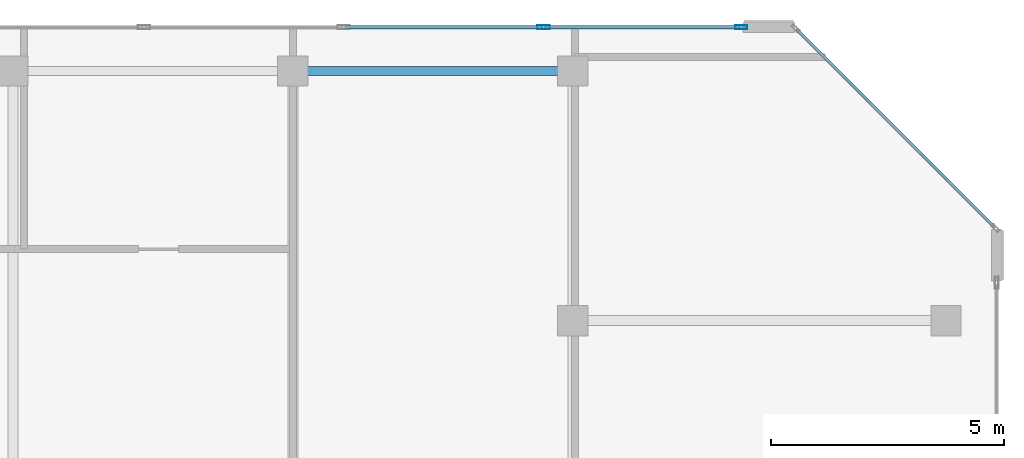
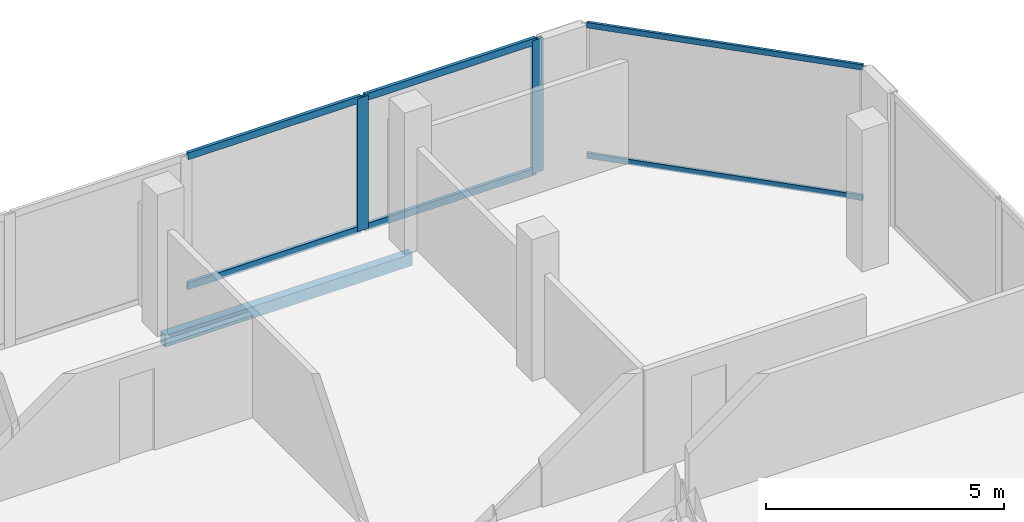
# One storey, part 20 of 30: 8 members, 1 beam, 2 elements without a shape of their own.
"""IFC4 building model written with IfcOpenShell, lengths in metres."""

from ifc_helpers import new_model, si_unit, direction, frame, origin, origin_2d, place, context, subcontext, project, spatial, hollow_rectangle, extrude, material, layer, layer_set, material_profile, profile_set, type_object, element, aggregate, save


model = new_model("IFC4")

# Units and contexts
model_context = context("Model", 3, precision=1e-05, world=origin(), true_north=direction((0.0, 1.0)))
body_context = subcontext(model_context, "Body", "Model", "MODEL_VIEW")
ifc_project = project(units=[si_unit("LENGTHUNIT", "METRE"), si_unit("AREAUNIT", "SQUARE_METRE"), si_unit("VOLUMEUNIT", "CUBIC_METRE"), si_unit("PLANEANGLEUNIT", "RADIAN"), si_unit("MASSUNIT", "GRAM", prefix="KILO")], contexts=[model_context])

# Site, building, storey
site_placement = place(None, origin())
site = spatial("IfcSite", under=ifc_project, at=site_placement, CompositionType="ELEMENT")
building_placement = place(site_placement, origin())
building = spatial("IfcBuilding", under=site, at=building_placement, Name="Tanjung Sevakor Pilgrim Tower", CompositionType="ELEMENT")
storey_placement = place(building_placement, frame((0.0, 0.0, 253.43994140625)))
storey = spatial("IfcBuildingStorey", under=building, at=storey_placement, Name="L71", CompositionType="ELEMENT", Elevation=253.43994140625)

# Beam
ifc_material_1 = material(Name="Steel S355J2", Category="steel")
ifc_material_profile_1 = material_profile(ifc_material_1, hollow_rectangle(XDim=0.199951171875, YDim=0.300048828125, WallThickness=0.012451171875, at=origin_2d()))
ifc_profile_set_1 = profile_set([ifc_material_profile_1], Name="Steel S355J2")
beam_type = type_object("IfcBeamType", Name="BM-B-SP3-RHS_300x200x12.5", PredefinedType="SPANDREL", material=ifc_profile_set_1)
beam_placement = place(storey_placement, frame((84.0, 53.949951171875, -0.369873046875), z_axis=(1.0, 0.0, 0.0), x_axis=(0.0, 1.0, 0.0)))
element("IfcBeam", 1, at=beam_placement, inside=storey, type_object=beam_type, Name="L71 Spandrel EAST N-06", PredefinedType="SPANDREL", context=body_context, shape_type="SweptSolid", body=[
    extrude(hollow_rectangle(XDim=0.199951171875, YDim=0.300048828125, WallThickness=0.012451171875, at=origin_2d()), origin(), (0.0, 0.0, 1.0), 6.0),
])

# Curtain wall, members
ifc_material_2 = material(Name="Aluminium 6063-T6 and Low-E Glass", Category="aluminium")
ifc_layer_1 = layer(ifc_material_2, 0.219970703125)
ifc_layer_set_1 = layer_set([ifc_layer_1], Name="CW-SYS-CRNE")
curtain_wall_type_1 = type_object("IfcCurtainWallType", Name="CW-SYS-CRNE", PredefinedType="NOTDEFINED", material=ifc_layer_set_1)
curtain_wall_1_placement = place(storey_placement, origin())
curtain_wall_1 = element("IfcCurtainWall", 2, at=curtain_wall_1_placement, inside=storey, type_object=curtain_wall_type_1, Name="L71 Curtain Wall CW-CRN-L71-EAST-4-1", PredefinedType="NOTDEFINED")
ifc_material_3 = material(Name="Aluminium 6063-T6", Category="aluminium")
ifc_material_profile_2 = material_profile(ifc_material_3, hollow_rectangle(XDim=0.080078125, YDim=0.260009765625, WallThickness=0.0048828125, at=origin_2d()))
ifc_profile_set_2 = profile_set([ifc_material_profile_2], Name="Aluminium 6063-T6")
member_type_1 = type_object("IfcMemberType", Name="TYPE-CWM-3", PredefinedType="MULLION", material=ifc_profile_set_2)
member_1_placement = place(storey_placement, frame((93.614501953125, 54.889892578125, 0.0), z_axis=(0.0, 0.0, 1.0), x_axis=(0.0, -1.0, 0.0)))
member_1 = element("IfcMember", 3, at=member_1_placement, type_object=member_type_1, Name="CW-CRE mullion 1", PredefinedType="MULLION", context=body_context, shape_type="SweptSolid", body=[
    extrude(hollow_rectangle(XDim=0.080078125, YDim=0.260009765625, WallThickness=0.0048828125, at=origin_2d()), origin(), (0.0, 0.0, 1.0), 3.41015625),
])
member_2_placement = place(storey_placement, frame((89.37255859375, 54.889892578125, 0.0), z_axis=(0.0, 0.0, 1.0), x_axis=(0.0, -1.0, 0.0)))
member_2 = element("IfcMember", 4, at=member_2_placement, type_object=member_type_1, Name="CW-CRE mullion 2", PredefinedType="MULLION", context=body_context, shape_type="SweptSolid", body=[
    extrude(hollow_rectangle(XDim=0.080078125, YDim=0.260009765625, WallThickness=0.0048828125, at=origin_2d()), origin(), (0.0, 0.0, 1.0), 3.41015625),
])

ifc_material_4 = material(Name="Aluminium 6063-T6 and Low-E Glass", Category="aluminium")
ifc_layer_2 = layer(ifc_material_4, 0.179931640625)
ifc_layer_set_2 = layer_set([ifc_layer_2], Name="CW-SYS-CHAM")
curtain_wall_type_2 = type_object("IfcCurtainWallType", Name="CW-SYS-CHAM", PredefinedType="NOTDEFINED", material=ifc_layer_set_2)
curtain_wall_2_placement = place(storey_placement, origin())
curtain_wall_2 = element("IfcCurtainWall", 5, at=curtain_wall_2_placement, inside=storey, type_object=curtain_wall_type_2, Name="L71 Curtain Wall CW-CHM-L71-EAST-3", PredefinedType="NOTDEFINED")
ifc_material_5 = material(Name="Aluminium 6063-T6", Category="aluminium")
ifc_material_profile_3 = material_profile(ifc_material_5, hollow_rectangle(XDim=0.06494140625, YDim=0.139892578125, WallThickness=0.00390625, at=origin_2d()))
ifc_profile_set_3 = profile_set([ifc_material_profile_3], Name="Aluminium 6063-T6")
member_type_2 = type_object("IfcMemberType", Name="TYPE-CWT-1", PredefinedType="USERDEFINED", material=ifc_profile_set_3)
member_3_placement = place(storey_placement, frame((99.0439453125, 50.600341796875, 0.032470703125), z_axis=(-0.707106781187, 0.707106781187, 0.0), x_axis=(-0.707106781187, -0.707106781187, 0.0)))
member_3 = element("IfcMember", 6, at=member_3_placement, type_object=member_type_2, Name="CW-CHM transom 1.1", ObjectType="TRANSOM", PredefinedType="USERDEFINED", context=body_context, shape_type="SweptSolid", body=[
    extrude(hollow_rectangle(XDim=0.06494140625, YDim=0.139892578125, WallThickness=0.00390625, at=origin_2d()), origin(), (0.0, 0.0, 1.0), 6.00146484375),
])
member_4_placement = place(storey_placement, frame((99.0439453125, 50.600341796875, 3.37744140625), z_axis=(-0.707106781187, 0.707106781187, 0.0), x_axis=(-0.707106781187, -0.707106781187, 0.0)))
member_4 = element("IfcMember", 7, at=member_4_placement, type_object=member_type_2, Name="CW-CHM transom 1.2", ObjectType="TRANSOM", PredefinedType="USERDEFINED", context=body_context, shape_type="SweptSolid", body=[
    extrude(hollow_rectangle(XDim=0.06494140625, YDim=0.139892578125, WallThickness=0.00390625, at=origin_2d()), origin(), (0.0, 0.0, 1.0), 6.00146484375),
])
aggregate(curtain_wall_2, [member_3, member_4])

# Member
ifc_material_6 = material(Name="Aluminium 6063-T6", Category="aluminium")
ifc_material_profile_4 = material_profile(ifc_material_6, hollow_rectangle(XDim=0.080078125, YDim=0.179931640625, WallThickness=0.0048828125, at=origin_2d()))
ifc_profile_set_4 = profile_set([ifc_material_profile_4], Name="Aluminium 6063-T6")
member_type_3 = type_object("IfcMemberType", Name="TYPE-CWT-3", PredefinedType="USERDEFINED", material=ifc_profile_set_4)
member_5_placement = place(storey_placement, frame((93.574462890625, 54.889892578125, 0.0400390625), z_axis=(-1.0, 0.0, 0.0), x_axis=(0.0, -1.0, 0.0)))
member_5 = element("IfcMember", 8, at=member_5_placement, type_object=member_type_3, Name="CW-CRE transom 1.1", ObjectType="TRANSOM", PredefinedType="USERDEFINED", context=body_context, shape_type="SweptSolid", body=[
    extrude(hollow_rectangle(XDim=0.080078125, YDim=0.179931640625, WallThickness=0.0048828125, at=origin_2d()), origin(), (0.0, 0.0, 1.0), 4.161865234375),
])

member_6_placement = place(storey_placement, frame((93.574462890625, 54.889892578125, 3.3701171875), z_axis=(-1.0, 0.0, 0.0), x_axis=(0.0, -1.0, 0.0)))
member_6 = element("IfcMember", 9, at=member_6_placement, type_object=member_type_3, Name="CW-CRE transom 1.2", ObjectType="TRANSOM", PredefinedType="USERDEFINED", context=body_context, shape_type="SweptSolid", body=[
    extrude(hollow_rectangle(XDim=0.080078125, YDim=0.179931640625, WallThickness=0.0048828125, at=origin_2d()), origin(), (0.0, 0.0, 1.0), 4.161865234375),
])

member_7_placement = place(storey_placement, frame((89.33251953125, 54.889892578125, 0.0400390625), z_axis=(-1.0, 0.0, 0.0), x_axis=(0.0, -1.0, 0.0)))
member_7 = element("IfcMember", 10, at=member_7_placement, type_object=member_type_3, Name="CW-CRE transom 2.1", ObjectType="TRANSOM", PredefinedType="USERDEFINED", context=body_context, shape_type="SweptSolid", body=[
    extrude(hollow_rectangle(XDim=0.080078125, YDim=0.179931640625, WallThickness=0.0048828125, at=origin_2d()), origin(), (0.0, 0.0, 1.0), 4.20166015625),
])

member_8_placement = place(storey_placement, frame((89.33251953125, 54.889892578125, 3.3701171875), z_axis=(-1.0, 0.0, 0.0), x_axis=(0.0, -1.0, 0.0)))
member_8 = element("IfcMember", 11, at=member_8_placement, type_object=member_type_3, Name="CW-CRE transom 2.2", ObjectType="TRANSOM", PredefinedType="USERDEFINED", context=body_context, shape_type="SweptSolid", body=[
    extrude(hollow_rectangle(XDim=0.080078125, YDim=0.179931640625, WallThickness=0.0048828125, at=origin_2d()), origin(), (0.0, 0.0, 1.0), 4.20166015625),
])

aggregate(curtain_wall_1, [member_1, member_2, member_5, member_6, member_7, member_8])

save(model, "model.ifc")
